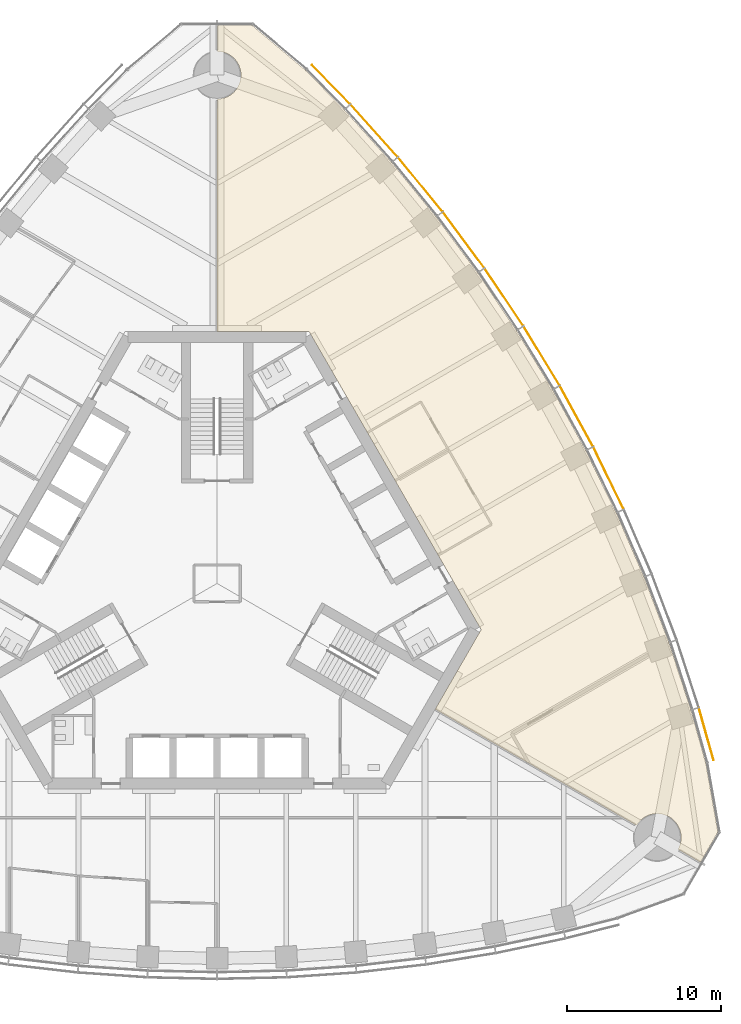
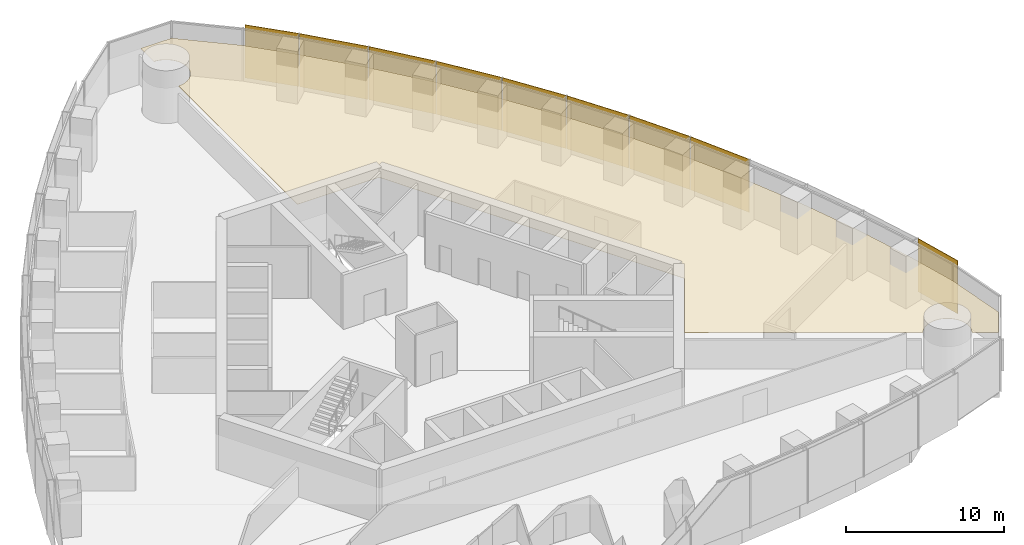
# One storey, part 17 of 19: 9 shading devices, 1 covering.
"""IFC4 building model written with IfcOpenShell, lengths in metres."""

from ifc_helpers import new_model, si_unit, direction, frame, origin, origin_2d, place, context, subcontext, project, spatial, polyline, rectangle, outline, extrude, material, layer, layer_set, type_object, element, save


model = new_model("IFC4")

# Units and contexts
model_context = context("Model", 3, precision=1e-05, world=origin(), true_north=direction((0.0, 1.0)))
body_context = subcontext(model_context, "Body", "Model", "MODEL_VIEW")
ifc_project = project(units=[si_unit("LENGTHUNIT", "METRE"), si_unit("AREAUNIT", "SQUARE_METRE"), si_unit("VOLUMEUNIT", "CUBIC_METRE"), si_unit("PLANEANGLEUNIT", "RADIAN"), si_unit("MASSUNIT", "GRAM", prefix="KILO")], contexts=[model_context])

# Site, building, storey
site_placement = place(None, origin())
site = spatial("IfcSite", under=ifc_project, at=site_placement, CompositionType="ELEMENT")
building_placement = place(site_placement, origin())
building = spatial("IfcBuilding", under=site, at=building_placement, Name="Trefoil Bronze Tower", CompositionType="ELEMENT")
storey_placement = place(building_placement, frame((0.0, 0.0, 248.5)))
storey = spatial("IfcBuildingStorey", under=building, at=storey_placement, Name="L57", CompositionType="ELEMENT", Elevation=248.5)

# Shading devices
ifc_material_1 = material(Name="Perforated bronze sheet", Category="bronze")
ifc_layer_1 = layer(ifc_material_1, 0.0400390625)
ifc_layer_set_1 = layer_set([ifc_layer_1], Name="Bronze solar screen panel")
shading_device_type = type_object("IfcShadingDeviceType", Name="Bronze solar screen panel", PredefinedType="SHUTTER", material=ifc_layer_set_1)
shading_device_1_placement = place(storey_placement, frame((31.764892578125, -9.7890625, 0.050048828125), z_axis=(0.0, 0.0, 1.0), x_axis=(-0.270282222968, 0.962781138134, 0.0)))
element("IfcShadingDevice", 1, at=shading_device_1_placement, inside=storey, type_object=shading_device_type, Name="Solar screen CW-A L57 F2 bay 1", PredefinedType="SHUTTER", context=body_context, shape_type="SweptSolid", body=[
    extrude(rectangle(XDim=3.53369140625, YDim=0.0400390625, at=origin_2d()), origin(), (0.0, 0.0, 1.0), 4.10009765625),
])
shading_device_2_placement = place(storey_placement, frame((25.4169921875, 6.83740234375, 0.050048828125), z_axis=(0.0, 0.0, 1.0), x_axis=(-0.439129033334, 0.898424004623, 0.0)))
element("IfcShadingDevice", 2, at=shading_device_2_placement, inside=storey, type_object=shading_device_type, Name="Solar screen CW-A L57 F2 bay 5", PredefinedType="SHUTTER", context=body_context, shape_type="SweptSolid", body=[
    extrude(rectangle(XDim=4.480712890625, YDim=0.0400390625, at=origin_2d()), origin(), (0.0, 0.0, 1.0), 4.10009765625),
])
for number, where, z_axis, x_axis, name in (
    (3, (23.3349609375, 10.860107421875, 0.050048828125), (0.0, 0.0, 1.0), (-0.479974003504, 0.877282711536, 0.0), "Solar screen CW-A L57 F2 bay 6"),
    (4, (21.07275390625, 14.77880859375, 0.050048828125), (0.0, 0.0, 1.0), (-0.519762112739, 0.854311035959, 0.0), "Solar screen CW-A L57 F2 bay 7"),
):
    element("IfcShadingDevice", number, at=place(storey_placement, frame(where, z_axis=z_axis, x_axis=x_axis)), inside=storey, type_object=shading_device_type, Name=name, PredefinedType="SHUTTER", context=body_context, shape_type="SweptSolid", body=[
        extrude(rectangle(XDim=4.47119140625, YDim=0.0400390625, at=origin_2d()), origin(), (0.0, 0.0, 1.0), 4.10009765625),
    ])
shading_device_3_placement = place(storey_placement, frame((18.6298828125, 18.59326171875, 0.050048828125), z_axis=(0.0, 0.0, 1.0), x_axis=(-0.558493494706, 0.829508900718, 0.0)))
element("IfcShadingDevice", 5, at=shading_device_3_placement, inside=storey, type_object=shading_device_type, Name="Solar screen CW-A L57 F2 bay 8", PredefinedType="SHUTTER", context=body_context, shape_type="SweptSolid", body=[
    extrude(rectangle(XDim=4.480712890625, YDim=0.0400390625, at=origin_2d()), origin(), (0.0, 0.0, 1.0), 4.10009765625),
])
shading_device_4_placement = place(storey_placement, frame((16.005615234375, 22.302734375, 0.050048828125), z_axis=(0.0, 0.0, 1.0), x_axis=(-0.596161525977, 0.802864518425, 0.0)))
element("IfcShadingDevice", 6, at=shading_device_4_placement, inside=storey, type_object=shading_device_type, Name="Solar screen CW-A L57 F2 bay 9", PredefinedType="SHUTTER", context=body_context, shape_type="SweptSolid", body=[
    extrude(rectangle(XDim=4.5, YDim=0.0400390625, at=origin_2d()), origin(), (0.0, 0.0, 1.0), 4.10009765625),
])
shading_device_5_placement = place(storey_placement, frame((13.197509765625, 25.90625, 0.050048828125), z_axis=(0.0, 0.0, 1.0), x_axis=(-0.63275261301, 0.774354008661, 0.0)))
element("IfcShadingDevice", 7, at=shading_device_5_placement, inside=storey, type_object=shading_device_type, Name="Solar screen CW-A L57 F2 bay 10", PredefinedType="SHUTTER", context=body_context, shape_type="SweptSolid", body=[
    extrude(rectangle(XDim=4.529296875, YDim=0.0400390625, at=origin_2d()), origin(), (0.0, 0.0, 1.0), 4.10009765625),
])
shading_device_6_placement = place(storey_placement, frame((10.20166015625, 29.401611328125, 0.050048828125), z_axis=(0.0, 0.0, 1.0), x_axis=(-0.668245744076, 0.743940606181, 0.0)))
element("IfcShadingDevice", 8, at=shading_device_6_placement, inside=storey, type_object=shading_device_type, Name="Solar screen CW-A L57 F2 bay 11", PredefinedType="SHUTTER", context=body_context, shape_type="SweptSolid", body=[
    extrude(rectangle(XDim=4.5693359375, YDim=0.0400390625, at=origin_2d()), origin(), (0.0, 0.0, 1.0), 4.10009765625),
])
shading_device_7_placement = place(storey_placement, frame((7.40478515625, 32.40380859375, 0.050048828125), z_axis=(0.0, 0.0, 1.0), x_axis=(-0.698651812425, 0.715461840349, 0.0)))
element("IfcShadingDevice", 9, at=shading_device_7_placement, inside=storey, type_object=shading_device_type, Name="Solar screen CW-A L57 F2 bay 12", PredefinedType="SHUTTER", context=body_context, shape_type="SweptSolid", body=[
    extrude(rectangle(XDim=3.53369140625, YDim=0.0400390625, at=origin_2d()), origin(), (0.0, 0.0, 1.0), 4.10009765625),
])

# Covering
ifc_material_2 = material(Name="Acoustic ceiling panels", Category="mineral fibre")
ifc_layer_2 = layer(ifc_material_2, 0.02001953125)
ifc_layer_set_2 = layer_set([ifc_layer_2], Name="Office ceiling 20")
covering_type = type_object("IfcCoveringType", Name="Office ceiling 20", PredefinedType="CEILING", material=ifc_layer_set_2)
covering_placement = place(storey_placement, frame((0.0, 0.0, 2.89990234375)))
element("IfcCovering", 10, at=covering_placement, inside=storey, type_object=covering_type, Name="Ceiling L57 Open-plan office F2", PredefinedType="CEILING", context=body_context, shape_type="SweptSolid", body=[
    extrude(outline(polyline([(8.26318359375, 30.751708984375), (11.3369140625, 27.329833984375), (14.2216796875, 23.79931640625), (16.92236328125, 20.162353515625), (19.44140625, 16.420654296875), (21.781005859375, 12.5751953125), (23.94140625, 8.62646484375), (25.92236328125, 4.573974609375), (27.7216796875, 0.416748046875), (29.3369140625, -3.846923828125), (30.76318359375, -8.219482421875), (31.7265625, -11.650634765625), (32.518310546875, -16.1416015625), (31.385009765625, -18.1044921875), (29.92724609375, -17.263427734375), (29.94580078125, -17.230712890625), (29.97998046875, -17.16259765625), (30.010986328125, -17.09326171875), (30.0380859375, -17.022216796875), (30.06201171875, -16.949951171875), (30.08251953125, -16.876708984375), (30.09912109375, -16.802490234375), (30.112060546875, -16.727294921875), (30.121337890625, -16.65185546875), (30.126953125, -16.576171875), (30.12890625, -16.5), (30.126953125, -16.423828125), (30.121337890625, -16.34814453125), (30.112060546875, -16.272705078125), (30.09912109375, -16.197509765625), (30.08251953125, -16.123291015625), (30.06201171875, -16.050048828125), (30.0380859375, -15.977783203125), (30.010986328125, -15.90673828125), (29.97998046875, -15.83740234375), (29.94580078125, -15.769287109375), (29.908203125, -15.703125), (29.86767578125, -15.638916015625), (29.82373046875, -15.57666015625), (29.777099609375, -15.5166015625), (29.727294921875, -15.458984375), (29.6748046875, -15.404052734375), (29.619873046875, -15.3515625), (29.56201171875, -15.3017578125), (29.502197265625, -15.2548828125), (29.43994140625, -15.211181640625), (29.375732421875, -15.17041015625), (29.3095703125, -15.133056640625), (29.241455078125, -15.098876953125), (29.172119140625, -15.068115234375), (29.10107421875, -15.04052734375), (29.02880859375, -15.0166015625), (28.95556640625, -14.99658203125), (28.881103515625, -14.979736328125), (28.806396484375, -14.966796875), (28.730712890625, -14.95751953125), (28.65478515625, -14.951904296875), (28.578857421875, -14.949951171875), (28.502685546875, -14.951904296875), (28.427001953125, -14.95751953125), (28.351318359375, -14.966796875), (28.2763671875, -14.979736328125), (28.2021484375, -14.99658203125), (28.12890625, -15.0166015625), (28.056640625, -15.04052734375), (27.985595703125, -15.068115234375), (27.916015625, -15.098876953125), (27.84814453125, -15.133056640625), (27.781982421875, -15.17041015625), (27.7177734375, -15.211181640625), (27.655517578125, -15.2548828125), (27.595458984375, -15.3017578125), (27.537841796875, -15.3515625), (27.48291015625, -15.404052734375), (27.430419921875, -15.458984375), (27.380615234375, -15.5166015625), (27.333984375, -15.57666015625), (27.2900390625, -15.638916015625), (27.24267578125, -15.71484375), (14.16259765625, -8.169677734375), (17.147216796875, -3.0), (5.9755859375, 16.35009765625), (0.006103515625, 16.35009765625), (0.01171875, 31.4501953125), (0.076171875, 31.451904296875), (0.15185546875, 31.45751953125), (0.227294921875, 31.466796875), (0.302490234375, 31.479736328125), (0.376708984375, 31.49658203125), (0.449951171875, 31.5166015625), (0.522216796875, 31.54052734375), (0.59326171875, 31.568115234375), (0.66259765625, 31.598876953125), (0.730712890625, 31.633056640625), (0.796875, 31.67041015625), (0.861083984375, 31.711181640625), (0.92333984375, 31.7548828125), (0.9833984375, 31.8017578125), (1.041015625, 31.8515625), (1.095947265625, 31.904052734375), (1.1484375, 31.958984375), (1.1982421875, 32.0166015625), (1.2451171875, 32.07666015625), (1.288818359375, 32.138916015625), (1.32958984375, 32.203125), (1.366943359375, 32.269287109375), (1.401123046875, 32.33740234375), (1.431884765625, 32.40673828125), (1.45947265625, 32.477783203125), (1.4833984375, 32.550048828125), (1.50341796875, 32.623291015625), (1.520263671875, 32.697509765625), (1.533203125, 32.772705078125), (1.54248046875, 32.84814453125), (1.548095703125, 32.923828125), (1.550048828125, 33.0), (1.548095703125, 33.076171875), (1.54248046875, 33.15185546875), (1.533203125, 33.227294921875), (1.520263671875, 33.302490234375), (1.50341796875, 33.376708984375), (1.4833984375, 33.449951171875), (1.45947265625, 33.522216796875), (1.431884765625, 33.59326171875), (1.401123046875, 33.66259765625), (1.366943359375, 33.730712890625), (1.32958984375, 33.796875), (1.288818359375, 33.861083984375), (1.2451171875, 33.92333984375), (1.1982421875, 33.9833984375), (1.1484375, 34.041015625), (1.095947265625, 34.095947265625), (1.041015625, 34.1484375), (0.9833984375, 34.1982421875), (0.92333984375, 34.2451171875), (0.861083984375, 34.288818359375), (0.796875, 34.32958984375), (0.730712890625, 34.366943359375), (0.66259765625, 34.401123046875), (0.59326171875, 34.431884765625), (0.522216796875, 34.45947265625), (0.449951171875, 34.4833984375), (0.376708984375, 34.50341796875), (0.302490234375, 34.520263671875), (0.227294921875, 34.533203125), (0.15185546875, 34.54248046875), (0.076171875, 34.548095703125), (0.012939453125, 34.5498046875), (0.013671875, 36.232666015625), (2.280029296875, 36.232666015625), (5.7734375, 33.30126953125), (8.26318359375, 30.751708984375)])), origin(), (0.0, 0.0, 1.0), 0.02001953125),
])

save(model, "model.ifc")
